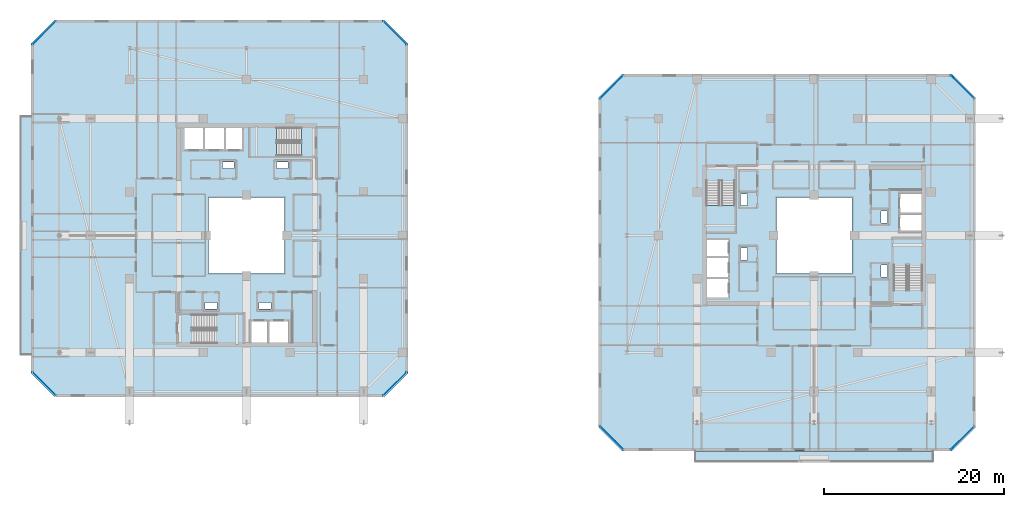
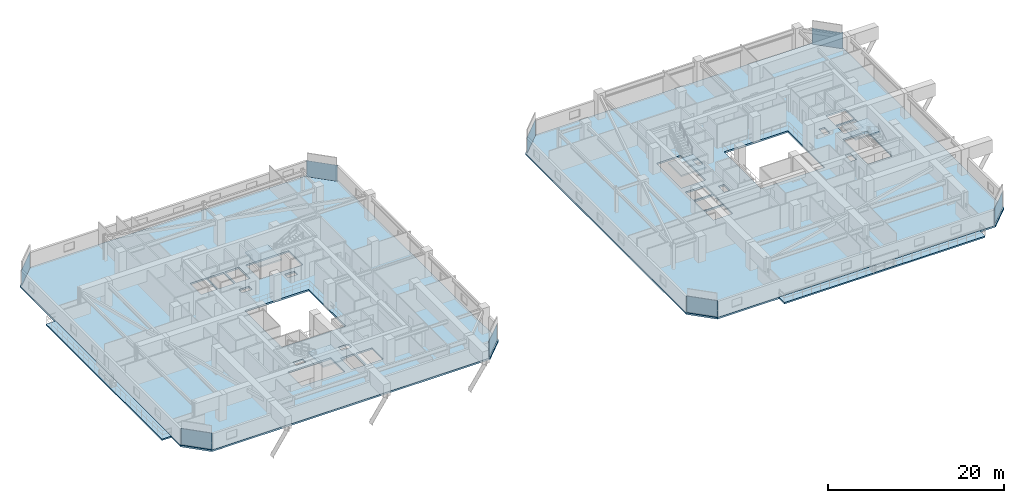
# One storey, part 18 of 35: 8 plates, 8 slabs, 12 elements without a shape of their own.
"""IFC4 building model written with IfcOpenShell, lengths in metres."""

from ifc_helpers import new_model, si_unit, direction, frame, origin, origin_2d, place, context, subcontext, project, spatial, polyline, rectangle, outline, extrude, material, layer, layer_set, type_object, element, aggregate, save


model = new_model("IFC4")

# Units and contexts
model_context = context("Model", 3, precision=1e-05, world=origin(), true_north=direction((0.0, 1.0)))
body_context = subcontext(model_context, "Body", "Model", "MODEL_VIEW")
ifc_project = project(units=[si_unit("LENGTHUNIT", "METRE"), si_unit("AREAUNIT", "SQUARE_METRE"), si_unit("VOLUMEUNIT", "CUBIC_METRE"), si_unit("PLANEANGLEUNIT", "RADIAN"), si_unit("MASSUNIT", "GRAM", prefix="KILO")], contexts=[model_context])

# Site, building, storey
site_placement = place(None, origin())
site = spatial("IfcSite", under=ifc_project, at=site_placement, CompositionType="ELEMENT")
building_placement = place(site_placement, origin())
building = spatial("IfcBuilding", under=site, at=building_placement, Name="Thornwick Lancets Civic Towers", CompositionType="ELEMENT")
storey_placement = place(building_placement, frame((0.0, 0.0, 225.89990234375)))
storey = spatial("IfcBuildingStorey", under=building, at=storey_placement, Name="L60", CompositionType="ELEMENT", Elevation=225.89990234375)

# Curtain wall, plate
ifc_material_1 = material(Name="High-zone chamfered-corner unitised glass curtain wall", Category="glass")
curtain_wall_type = type_object("IfcCurtainWallType", Name="CW_SYS_05", PredefinedType="NOTDEFINED", material=ifc_material_1)
curtain_wall_1_placement = place(storey_placement, origin())
curtain_wall_1 = element("IfcCurtainWall", 1, at=curtain_wall_1_placement, inside=storey, type_object=curtain_wall_type, Name="L60 Curtain Wall CW-L60-A-E1", PredefinedType="NOTDEFINED")
ifc_material_2 = material(Name="Low-e double glazing clear glass", Category="glass")
ifc_layer_1 = layer(ifc_material_2, 0.035888671875, Name="Low-e double glazing clear glass")
ifc_layer_set_1 = layer_set([ifc_layer_1], Name="Low-e double glazing clear glass")
plate_type = type_object("IfcPlateType", Name="CW_PNL_GLASS", PredefinedType="CURTAIN_PANEL", material=ifc_layer_set_1)
plate_1_placement = place(storey_placement, frame((41.972900390625, 10.527099609375, 0.0), z_axis=(0.0, 0.0, 1.0), x_axis=(0.707106781187, 0.707106781187, 0.0)))
plate_1 = element("IfcPlate", 2, at=plate_1_placement, type_object=plate_type, Name="CW-L60-A-E1 Panel 0", PredefinedType="CURTAIN_PANEL", context=body_context, shape_type="SweptSolid", body=[
    extrude(rectangle(XDim=3.649169921875, YDim=0.035888671875, at=origin_2d()), origin(), (0.0, 0.0, 1.0), 2.219970703125),
])
aggregate(curtain_wall_1, [plate_1])

curtain_wall_2_placement = place(storey_placement, origin())
curtain_wall_2 = element("IfcCurtainWall", 3, at=curtain_wall_2_placement, inside=storey, type_object=curtain_wall_type, Name="L60 Curtain Wall CW-L60-A-E3", PredefinedType="NOTDEFINED")
plate_2_placement = place(storey_placement, frame((41.972900390625, 49.472900390625, 0.0), z_axis=(0.0, 0.0, 1.0), x_axis=(-0.707106781187, 0.707106781187, 0.0)))
plate_2 = element("IfcPlate", 4, at=plate_2_placement, type_object=plate_type, Name="CW-L60-A-E3 Panel 0", PredefinedType="CURTAIN_PANEL", context=body_context, shape_type="SweptSolid", body=[
    extrude(rectangle(XDim=3.649169921875, YDim=0.035888671875, at=origin_2d()), origin(), (0.0, 0.0, 1.0), 2.219970703125),
])
aggregate(curtain_wall_2, [plate_2])

curtain_wall_3_placement = place(storey_placement, origin())
curtain_wall_3 = element("IfcCurtainWall", 5, at=curtain_wall_3_placement, inside=storey, type_object=curtain_wall_type, Name="L60 Curtain Wall CW-L60-A-E5", PredefinedType="NOTDEFINED")
plate_3_placement = place(storey_placement, frame((3.027099609375, 49.472900390625, 0.0), z_axis=(0.0, 0.0, 1.0), x_axis=(-0.707106781187, -0.707106781187, 0.0)))
plate_3 = element("IfcPlate", 6, at=plate_3_placement, type_object=plate_type, Name="CW-L60-A-E5 Panel 0", PredefinedType="CURTAIN_PANEL", context=body_context, shape_type="SweptSolid", body=[
    extrude(rectangle(XDim=3.649169921875, YDim=0.035888671875, at=origin_2d()), origin(), (0.0, 0.0, 1.0), 2.219970703125),
])
aggregate(curtain_wall_3, [plate_3])

curtain_wall_4_placement = place(storey_placement, origin())
curtain_wall_4 = element("IfcCurtainWall", 7, at=curtain_wall_4_placement, inside=storey, type_object=curtain_wall_type, Name="L60 Curtain Wall CW-L60-A-E7", PredefinedType="NOTDEFINED")
plate_4_placement = place(storey_placement, frame((3.027099609375, 10.527099609375, 0.0), z_axis=(0.0, 0.0, 1.0), x_axis=(0.707106781187, -0.707106781187, 0.0)))
plate_4 = element("IfcPlate", 8, at=plate_4_placement, type_object=plate_type, Name="CW-L60-A-E7 Panel 0", PredefinedType="CURTAIN_PANEL", context=body_context, shape_type="SweptSolid", body=[
    extrude(rectangle(XDim=3.649169921875, YDim=0.035888671875, at=origin_2d()), origin(), (0.0, 0.0, 1.0), 2.219970703125),
])
aggregate(curtain_wall_4, [plate_4])

curtain_wall_5_placement = place(storey_placement, origin())
curtain_wall_5 = element("IfcCurtainWall", 9, at=curtain_wall_5_placement, inside=storey, type_object=curtain_wall_type, Name="L60 Curtain Wall CW-L60-B-E1", PredefinedType="NOTDEFINED")
plate_5_placement = place(storey_placement, frame((104.972900390625, 4.527099609375, 0.0), z_axis=(0.0, 0.0, 1.0), x_axis=(0.707106781187, 0.707106781187, 0.0)))
plate_5 = element("IfcPlate", 10, at=plate_5_placement, type_object=plate_type, Name="CW-L60-B-E1 Panel 0", PredefinedType="CURTAIN_PANEL", context=body_context, shape_type="SweptSolid", body=[
    extrude(rectangle(XDim=3.649169921875, YDim=0.035888671875, at=origin_2d()), origin(), (0.0, 0.0, 1.0), 2.219970703125),
])
aggregate(curtain_wall_5, [plate_5])

curtain_wall_6_placement = place(storey_placement, origin())
curtain_wall_6 = element("IfcCurtainWall", 11, at=curtain_wall_6_placement, inside=storey, type_object=curtain_wall_type, Name="L60 Curtain Wall CW-L60-B-E3", PredefinedType="NOTDEFINED")
plate_6_placement = place(storey_placement, frame((104.972900390625, 43.472900390625, 0.0), z_axis=(0.0, 0.0, 1.0), x_axis=(-0.707106781187, 0.707106781187, 0.0)))
plate_6 = element("IfcPlate", 12, at=plate_6_placement, type_object=plate_type, Name="CW-L60-B-E3 Panel 0", PredefinedType="CURTAIN_PANEL", context=body_context, shape_type="SweptSolid", body=[
    extrude(rectangle(XDim=3.649169921875, YDim=0.035888671875, at=origin_2d()), origin(), (0.0, 0.0, 1.0), 2.219970703125),
])
aggregate(curtain_wall_6, [plate_6])

curtain_wall_7_placement = place(storey_placement, origin())
curtain_wall_7 = element("IfcCurtainWall", 13, at=curtain_wall_7_placement, inside=storey, type_object=curtain_wall_type, Name="L60 Curtain Wall CW-L60-B-E5", PredefinedType="NOTDEFINED")
plate_7_placement = place(storey_placement, frame((66.027099609375, 43.472900390625, 0.0), z_axis=(0.0, 0.0, 1.0), x_axis=(-0.707106781187, -0.707106781187, 0.0)))
plate_7 = element("IfcPlate", 14, at=plate_7_placement, type_object=plate_type, Name="CW-L60-B-E5 Panel 0", PredefinedType="CURTAIN_PANEL", context=body_context, shape_type="SweptSolid", body=[
    extrude(rectangle(XDim=3.649169921875, YDim=0.035888671875, at=origin_2d()), origin(), (0.0, 0.0, 1.0), 2.219970703125),
])
aggregate(curtain_wall_7, [plate_7])

curtain_wall_8_placement = place(storey_placement, origin())
curtain_wall_8 = element("IfcCurtainWall", 15, at=curtain_wall_8_placement, inside=storey, type_object=curtain_wall_type, Name="L60 Curtain Wall CW-L60-B-E7", PredefinedType="NOTDEFINED")
plate_8_placement = place(storey_placement, frame((66.027099609375, 4.527099609375, 0.0), z_axis=(0.0, 0.0, 1.0), x_axis=(0.707106781187, -0.707106781187, 0.0)))
plate_8 = element("IfcPlate", 16, at=plate_8_placement, type_object=plate_type, Name="CW-L60-B-E7 Panel 0", PredefinedType="CURTAIN_PANEL", context=body_context, shape_type="SweptSolid", body=[
    extrude(rectangle(XDim=3.649169921875, YDim=0.035888671875, at=origin_2d()), origin(), (0.0, 0.0, 1.0), 2.219970703125),
])
aggregate(curtain_wall_8, [plate_8])

# Slabs
ifc_material_3 = material(Name="Post-tensioned concrete C40/50", Category="concrete")
ifc_layer_2 = layer(ifc_material_3, 0.199951171875, Name="Post-tensioned concrete C40/50")
ifc_layer_set_2 = layer_set([ifc_layer_2], Name="Post-tensioned concrete C40/50")
slab_type_1 = type_object("IfcSlabType", Name="SLAB_BALCONY_200", PredefinedType="FLOOR", material=ifc_layer_set_2)
slab_1_placement = place(storey_placement, frame((0.0, 0.0, -0.199951171875)))
element("IfcSlab", 17, at=slab_1_placement, inside=storey, type_object=slab_type_1, Name="L60 Tower A Planted Balcony Slab W", PredefinedType="FLOOR", context=body_context, shape_type="SweptSolid", body=[
    extrude(outline(polyline([(0.35009765625, 13.800048828125), (1.60009765625, 13.800048828125), (1.60009765625, 40.199951171875), (0.35009765625, 40.199951171875), (0.35009765625, 13.800048828125)])), origin(), (0.0, 0.0, 1.0), 0.199951171875),
])
slab_2_placement = place(storey_placement, frame((0.0, 0.0, -0.199951171875)))
element("IfcSlab", 18, at=slab_2_placement, inside=storey, type_object=slab_type_1, Name="L60 Tower B Planted Balcony Slab S", PredefinedType="FLOOR", context=body_context, shape_type="SweptSolid", body=[
    extrude(outline(polyline([(75.300048828125, 1.85009765625), (101.699951171875, 1.85009765625), (101.699951171875, 3.10009765625), (75.300048828125, 3.10009765625), (75.300048828125, 1.85009765625)])), origin(), (0.0, 0.0, 1.0), 0.199951171875),
])

# Stair, slab
ifc_material_4 = material(Name="Concrete C40/50", Category="concrete")
stair_type = type_object("IfcStairType", Name="STAIR_DL_3600", PredefinedType="HALF_TURN_STAIR", material=ifc_material_4)
stair_1_placement = place(storey_placement, origin())
stair_1 = element("IfcStair", 19, at=stair_1_placement, inside=storey, type_object=stair_type, Name="L60 Tower A South Exit Stair ST-A1", PredefinedType="HALF_TURN_STAIR")
ifc_layer_3 = layer(ifc_material_4, 0.25, Name="Concrete C40/50")
ifc_layer_set_3 = layer_set([ifc_layer_3], Name="Concrete C40/50")
slab_type_2 = type_object("IfcSlabType", Name="SLAB_LANDING_200", PredefinedType="LANDING", material=ifc_layer_set_3)
slab_3_placement = place(storey_placement, frame((0.0, 0.0, 1.60302734375)))
slab_3 = element("IfcSlab", 20, at=slab_3_placement, type_object=slab_type_2, Name="ST-A1 landing 1", PredefinedType="LANDING", context=body_context, shape_type="SweptSolid", body=[
    extrude(outline(polyline([(22.169921875, 14.93994140625), (25.14990234375, 14.93994140625), (25.14990234375, 18.260009765625), (22.169921875, 18.260009765625), (22.169921875, 14.93994140625)])), origin(), (0.0, 0.0, 1.0), 0.199951171875),
])
aggregate(stair_1, [slab_3])

stair_2_placement = place(storey_placement, origin())
stair_2 = element("IfcStair", 21, at=stair_2_placement, inside=storey, type_object=stair_type, Name="L60 Tower A North Exit Stair ST-A2", PredefinedType="HALF_TURN_STAIR")
slab_4_placement = place(storey_placement, frame((0.0, 0.0, 1.60302734375)))
slab_4 = element("IfcSlab", 22, at=slab_4_placement, type_object=slab_type_2, Name="ST-A2 landing 1", PredefinedType="LANDING", context=body_context, shape_type="SweptSolid", body=[
    extrude(outline(polyline([(28.830078125, 39.06005859375), (25.85009765625, 39.06005859375), (25.85009765625, 35.739990234375), (28.830078125, 35.739990234375), (28.830078125, 39.06005859375)])), origin(), (0.0, 0.0, 1.0), 0.199951171875),
])
aggregate(stair_2, [slab_4])

stair_3_placement = place(storey_placement, origin())
stair_3 = element("IfcStair", 23, at=stair_3_placement, inside=storey, type_object=stair_type, Name="L60 Tower B East Exit Stair ST-B1", PredefinedType="HALF_TURN_STAIR")
slab_5_placement = place(storey_placement, frame((0.0, 0.0, 1.60302734375)))
slab_5 = element("IfcSlab", 24, at=slab_5_placement, type_object=slab_type_2, Name="ST-B1 landing 1", PredefinedType="LANDING", context=body_context, shape_type="SweptSolid", body=[
    extrude(outline(polyline([(100.56005859375, 23.669921875), (100.56005859375, 26.64990234375), (97.239990234375, 26.64990234375), (97.239990234375, 23.669921875), (100.56005859375, 23.669921875)])), origin(), (0.0, 0.0, 1.0), 0.199951171875),
])
aggregate(stair_3, [slab_5])

stair_4_placement = place(storey_placement, origin())
stair_4 = element("IfcStair", 25, at=stair_4_placement, inside=storey, type_object=stair_type, Name="L60 Tower B West Exit Stair ST-B2", PredefinedType="HALF_TURN_STAIR")
slab_6_placement = place(storey_placement, frame((0.0, 0.0, 1.60302734375)))
slab_6 = element("IfcSlab", 26, at=slab_6_placement, type_object=slab_type_2, Name="ST-B2 landing 1", PredefinedType="LANDING", context=body_context, shape_type="SweptSolid", body=[
    extrude(outline(polyline([(76.43994140625, 30.330078125), (76.43994140625, 27.35009765625), (79.760009765625, 27.35009765625), (79.760009765625, 30.330078125), (76.43994140625, 30.330078125)])), origin(), (0.0, 0.0, 1.0), 0.199951171875),
])
aggregate(stair_4, [slab_6])

# Slabs
ifc_layer_4 = layer(ifc_material_3, 0.239990234375, Name="Post-tensioned concrete C40/50")
ifc_layer_set_4 = layer_set([ifc_layer_4], Name="Post-tensioned concrete C40/50")
slab_type_3 = type_object("IfcSlabType", Name="SLAB_PT_240", PredefinedType="FLOOR", material=ifc_layer_set_4)
slab_7_placement = place(storey_placement, frame((0.0, 0.0, -0.239990234375)))
element("IfcSlab", 27, at=slab_7_placement, inside=storey, type_object=slab_type_3, Name="L60 Tower A Floor Slab", PredefinedType="FLOOR", context=body_context, shape_type="SweptSolid", body=[
    extrude(outline(polyline([(4.199951171875, 9.10009765625), (40.800048828125, 9.10009765625), (43.39990234375, 11.699951171875), (43.39990234375, 48.300048828125), (40.800048828125, 50.89990234375), (4.199951171875, 50.89990234375), (1.60009765625, 48.300048828125), (1.60009765625, 11.699951171875), (4.199951171875, 9.10009765625)]), holes=[polyline([(21.300048828125, 22.800048828125), (29.699951171875, 22.800048828125), (29.699951171875, 31.199951171875), (21.300048828125, 31.199951171875), (21.300048828125, 22.800048828125)]), polyline([(19.429931640625, 15.0), (25.10009765625, 15.0), (25.10009765625, 18.199951171875), (19.429931640625, 18.199951171875), (19.429931640625, 15.0)]), polyline([(31.570068359375, 39.0), (25.89990234375, 39.0), (25.89990234375, 35.800048828125), (31.570068359375, 35.800048828125), (31.570068359375, 39.0)]), polyline([(26.0, 15.0), (27.800048828125, 15.0), (27.800048828125, 17.550048828125), (26.0, 17.550048828125), (26.0, 15.0)]), polyline([(28.0, 15.0), (30.14990234375, 15.0), (30.14990234375, 17.550048828125), (28.0, 17.550048828125), (28.0, 15.0)]), polyline([(23.199951171875, 36.449951171875), (25.0, 36.449951171875), (25.0, 39.0), (23.199951171875, 39.0), (23.199951171875, 36.449951171875)]), polyline([(20.85009765625, 36.449951171875), (23.0, 36.449951171875), (23.0, 39.0), (20.85009765625, 39.0), (20.85009765625, 36.449951171875)]), polyline([(18.60009765625, 36.449951171875), (20.699951171875, 36.449951171875), (20.699951171875, 39.0), (18.60009765625, 39.0), (18.60009765625, 36.449951171875)]), polyline([(26.89990234375, 18.85009765625), (28.199951171875, 18.85009765625), (28.199951171875, 19.580078125), (26.89990234375, 19.580078125), (26.89990234375, 18.85009765625)]), polyline([(20.89990234375, 18.85009765625), (22.199951171875, 18.85009765625), (22.199951171875, 19.580078125), (20.89990234375, 19.580078125), (20.89990234375, 18.85009765625)]), polyline([(22.800048828125, 34.419921875), (24.10009765625, 34.419921875), (24.10009765625, 35.14990234375), (22.800048828125, 35.14990234375), (22.800048828125, 34.419921875)]), polyline([(28.800048828125, 34.419921875), (30.10009765625, 34.419921875), (30.10009765625, 35.14990234375), (28.800048828125, 35.14990234375), (28.800048828125, 34.419921875)])]), origin(), (0.0, 0.0, 1.0), 0.239990234375),
])
slab_8_placement = place(storey_placement, frame((0.0, 0.0, -0.239990234375)))
element("IfcSlab", 28, at=slab_8_placement, inside=storey, type_object=slab_type_3, Name="L60 Tower B Floor Slab", PredefinedType="FLOOR", context=body_context, shape_type="SweptSolid", body=[
    extrude(outline(polyline([(67.199951171875, 3.10009765625), (103.800048828125, 3.10009765625), (106.39990234375, 5.699951171875), (106.39990234375, 42.300048828125), (103.800048828125, 44.89990234375), (67.199951171875, 44.89990234375), (64.60009765625, 42.300048828125), (64.60009765625, 5.699951171875), (67.199951171875, 3.10009765625)]), holes=[polyline([(84.300048828125, 22.800048828125), (92.699951171875, 22.800048828125), (92.699951171875, 31.199951171875), (84.300048828125, 31.199951171875), (84.300048828125, 22.800048828125)]), polyline([(100.5, 20.929931640625), (100.5, 26.60009765625), (97.300048828125, 26.60009765625), (97.300048828125, 20.929931640625), (100.5, 20.929931640625)]), polyline([(76.5, 33.070068359375), (76.5, 27.39990234375), (79.699951171875, 27.39990234375), (79.699951171875, 33.070068359375), (76.5, 33.070068359375)]), polyline([(97.949951171875, 27.5), (100.5, 27.5), (100.5, 29.300048828125), (97.949951171875, 29.300048828125), (97.949951171875, 27.5)]), polyline([(97.949951171875, 29.5), (100.5, 29.5), (100.5, 31.64990234375), (97.949951171875, 31.64990234375), (97.949951171875, 29.5)]), polyline([(76.5, 24.699951171875), (79.050048828125, 24.699951171875), (79.050048828125, 26.5), (76.5, 26.5), (76.5, 24.699951171875)]), polyline([(76.5, 22.35009765625), (79.050048828125, 22.35009765625), (79.050048828125, 24.5), (76.5, 24.5), (76.5, 22.35009765625)]), polyline([(76.5, 20.10009765625), (79.050048828125, 20.10009765625), (79.050048828125, 22.199951171875), (76.5, 22.199951171875), (76.5, 20.10009765625)]), polyline([(95.919921875, 28.39990234375), (96.64990234375, 28.39990234375), (96.64990234375, 29.699951171875), (95.919921875, 29.699951171875), (95.919921875, 28.39990234375)]), polyline([(95.919921875, 22.39990234375), (96.64990234375, 22.39990234375), (96.64990234375, 23.699951171875), (95.919921875, 23.699951171875), (95.919921875, 22.39990234375)]), polyline([(80.35009765625, 24.300048828125), (81.080078125, 24.300048828125), (81.080078125, 25.60009765625), (80.35009765625, 25.60009765625), (80.35009765625, 24.300048828125)]), polyline([(80.35009765625, 30.300048828125), (81.080078125, 30.300048828125), (81.080078125, 31.60009765625), (80.35009765625, 31.60009765625), (80.35009765625, 30.300048828125)])]), origin(), (0.0, 0.0, 1.0), 0.239990234375),
])

save(model, "model.ifc")
